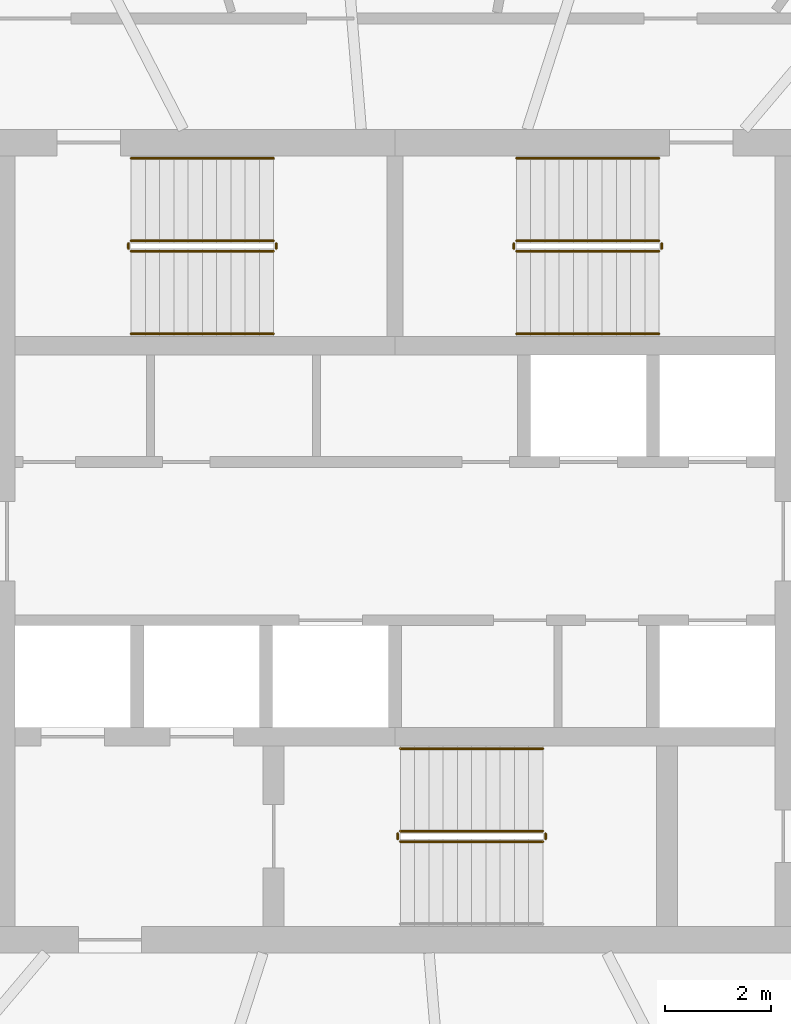
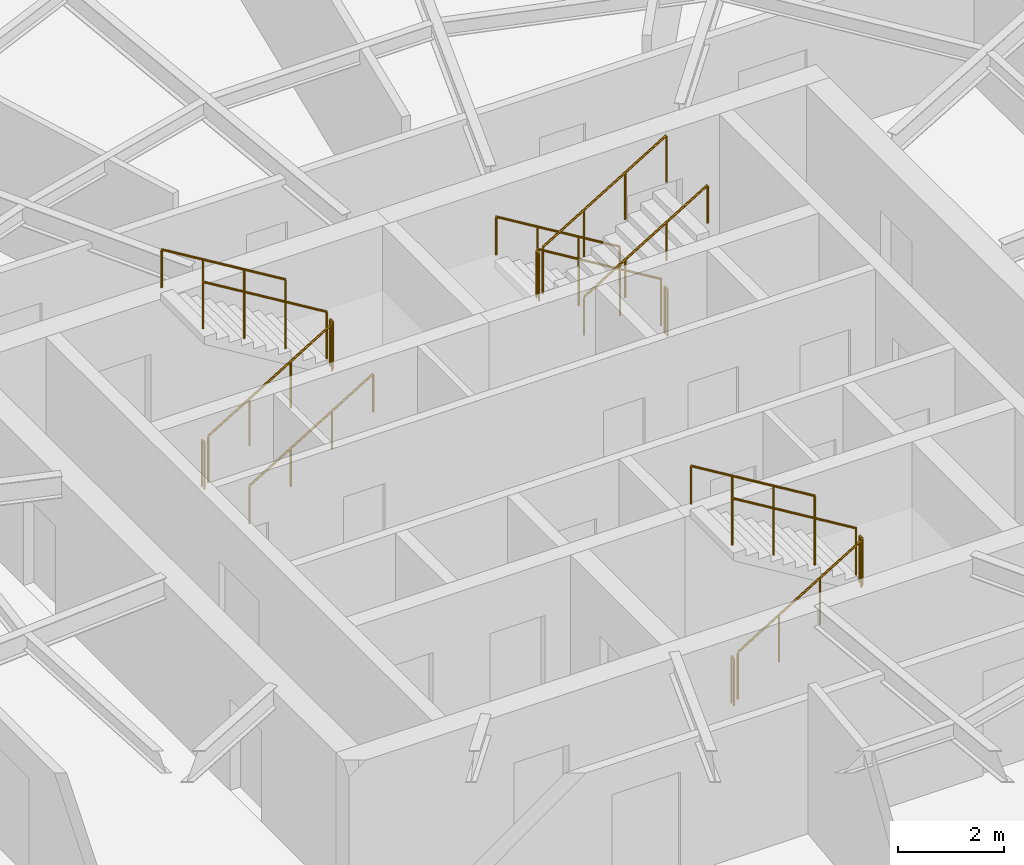
# One storey, part 12 of 13: 17 railings.
"""IFC4 building model written with IfcOpenShell, lengths in metres."""

import ifcopenshell
import ifcopenshell.guid

model = None  # the IFC model being written
_history = None  # IfcOwnerHistory: only IFC2X3 demands one
_inside = {}  # id of a spatial element -> (the spatial element, [elements in it])
_under = {}  # id of a project, library or spatial element -> (it, [spatial elements below it])
_declared = {}  # id of a project -> (the project, [libraries it declares])
_typed = {}  # id of a type object -> (the type object, [elements of that type])
_made_of = {}  # id of a material, layer set ... -> (it, [elements and type objects made of it])


def new_model(schema):
    """Start an empty IFC model of exactly this schema.

    Asked for "IFC4X3", IfcOpenShell would pick the latest addendum, in which some entities
    have other attributes; the version numbers below select the first issue.
    IFC2X3 requires an IfcOwnerHistory on every rooted entity: one is made here for all.
    """
    global model, _history
    if schema == "IFC4X3":
        model = ifcopenshell.file(schema_version=(4, 3, 0, 0))
    else:
        model = ifcopenshell.file(schema=schema)
    _inside.clear()
    _under.clear()
    _declared.clear()
    _typed.clear()
    _made_of.clear()
    _history = None
    if model.schema == "IFC2X3":
        org = make("IfcOrganization", Name="unknown")
        user = make(
            "IfcPersonAndOrganization",
            ThePerson=make("IfcPerson", FamilyName="unknown"),
            TheOrganization=org,
        )
        app = make(
            "IfcApplication",
            ApplicationDeveloper=org,
            Version="unknown",
            ApplicationFullName="unknown",
            ApplicationIdentifier="unknown",
        )
        _history = make(
            "IfcOwnerHistory",
            OwningUser=user,
            OwningApplication=app,
            ChangeAction="ADDED",
            CreationDate=0,
        )
    return model


def make(cls, **values):
    """One entity of the class cls with the attributes given. An attribute that is None is left unset."""
    return model.create_entity(
        cls, **{name: value for name, value in values.items() if value is not None}
    )


def rooted(cls, **values):
    """An entity with a GlobalId (a new one), such as an element, a storey or a relation."""
    return make(cls, GlobalId=ifcopenshell.guid.new(), OwnerHistory=_history, **values)


def si_unit(unit_type, name, prefix=None):
    """IfcSIUnit, for example si_unit("LENGTHUNIT", "METRE", prefix="MILLI")."""
    return make("IfcSIUnit", UnitType=unit_type, Prefix=prefix, Name=name)


def assignment(units):
    """IfcUnitAssignment: the units of a project."""
    return None if units is None else make("IfcUnitAssignment", Units=units)


def point(xyz):
    """IfcCartesianPoint."""
    return None if xyz is None else make("IfcCartesianPoint", Coordinates=xyz)


def direction(xyz):
    """IfcDirection."""
    return None if xyz is None else make("IfcDirection", DirectionRatios=xyz)


def frame(location, z_axis=None, x_axis=None):
    """IfcAxis2Placement3D, a coordinate frame: its origin and axes. An axis left out is left unset."""
    return make(
        "IfcAxis2Placement3D",
        Location=point(location),
        Axis=direction(z_axis),
        RefDirection=direction(x_axis),
    )


def frame_2d(location, x_axis=None):
    """IfcAxis2Placement2D, a coordinate frame in the plane: its origin and x axis."""
    return make(
        "IfcAxis2Placement2D", Location=point(location), RefDirection=direction(x_axis)
    )


def origin():
    """The frame at (0, 0, 0) with its axes left unset."""
    return frame((0.0, 0.0, 0.0))


def origin_2d():
    """The frame at (0, 0) in the plane with its x axis left unset."""
    return frame_2d((0.0, 0.0))


def place(relative_to, where):
    """IfcLocalPlacement: puts the frame where relative to a parent placement (None: the world)."""
    return make(
        "IfcLocalPlacement", PlacementRelTo=relative_to, RelativePlacement=where
    )


def context(
    kind, dimensions, precision=None, world=None, true_north=None, identifier=None
):
    """IfcGeometricRepresentationContext, for example the 3D "Model" context."""
    return make(
        "IfcGeometricRepresentationContext",
        ContextIdentifier=identifier,
        ContextType=kind,
        CoordinateSpaceDimension=dimensions,
        Precision=precision,
        WorldCoordinateSystem=world,
        TrueNorth=true_north,
    )


def subcontext(parent, identifier, kind, view, scale=None):
    """IfcGeometricRepresentationSubContext, for example "Body" below "Model"."""
    return make(
        "IfcGeometricRepresentationSubContext",
        ContextIdentifier=identifier,
        ContextType=kind,
        ParentContext=parent,
        TargetScale=scale,
        TargetView=view,
    )


def project(units=None, contexts=None):
    """IfcProject with its units and contexts."""
    return rooted(
        "IfcProject",
        Name="project",
        RepresentationContexts=contexts,
        UnitsInContext=assignment(units),
    )


def spatial(cls, under=None, at=None, **own):
    """A site, building, storey or space (cls), placed at a placement, below another one or the project."""
    s = rooted(cls, ObjectPlacement=at, **own)
    if under is not None:
        _under.setdefault(under.id(), (under, []))[1].append(s)
    return s


def profile(cls, at=None, kind="AREA", **sizes):
    """A parametric profile (cls). Its sizes go by their IFC names, for example OverallWidth=200.0."""
    return make(cls, ProfileType=kind, Position=at, **sizes)


def circle(**sizes):
    """IfcCircleProfileDef."""
    return profile("IfcCircleProfileDef", **sizes)


def extrude(swept, where, along, depth):
    """IfcExtrudedAreaSolid: the profile swept, set in the frame where, extruded along a direction by depth."""
    return make(
        "IfcExtrudedAreaSolid",
        SweptArea=swept,
        Position=where,
        ExtrudedDirection=direction(along),
        Depth=depth,
    )


def shape(context_of_items, identifier, shape_type, items):
    """IfcShapeRepresentation: the items that make up one representation, for example the "Body"."""
    return make(
        "IfcShapeRepresentation",
        ContextOfItems=context_of_items,
        RepresentationIdentifier=identifier,
        RepresentationType=shape_type,
        Items=items,
    )


def material(Name=None, Category=None):
    """IfcMaterial."""
    return make("IfcMaterial", Name=Name, Category=Category)


def made_of(thing, what):
    """Note that an element or type object is made of a material, layer set ...; save() writes the relation."""
    if what is not None:
        _made_of.setdefault(what.id(), (what, []))[1].append(thing)
    return thing


def type_object(cls, material=None, **own):
    """A type object (cls), such as IfcWallType, which elements share."""
    return made_of(rooted(cls, **own), material)


def element(
    cls,
    number,
    at=None,
    inside=None,
    cuts=None,
    type_object=None,
    material=None,
    context=None,
    identifier="Body",
    shape_type=None,
    held_by="IfcProductDefinitionShape",
    body=None,
    shapes=None,
    **own,
):
    """One element of the class cls, such as IfcWall. Its Tag is "e" and its number.

    at: its placement. inside: the storey or other place that contains it. cuts: it is an
    opening in that element (IfcRelVoidsElement). A single representation is given by context,
    identifier, shape_type and body (its items); several are given by shapes. held_by: the class
    of the entity that holds the representations. save() writes the other relations.
    """
    e = rooted(cls, Tag="e%d" % number, ObjectPlacement=at, **own)
    if body is not None:
        shapes = [shape(context, identifier, shape_type, body)]
    if shapes is not None:
        e.Representation = make(held_by, Representations=shapes)
    if inside is not None:
        _inside.setdefault(inside.id(), (inside, []))[1].append(e)
    if cuts is not None:
        rooted(
            "IfcRelVoidsElement", RelatingBuildingElement=cuts, RelatedOpeningElement=e
        )
    if type_object is not None:
        _typed.setdefault(type_object.id(), (type_object, []))[1].append(e)
    return made_of(e, material)


def aggregate(whole, parts):
    """IfcRelAggregates: a whole, such as a stair, and the parts it consists of."""
    return rooted("IfcRelAggregates", RelatingObject=whole, RelatedObjects=parts)


def save(model, path):
    """Write the relations noted so far, then the file.

    IfcRelAggregates (storeys below a building ...), IfcRelContainedInSpatialStructure (elements
    in a storey), IfcRelDefinesByType, IfcRelAssociatesMaterial and IfcRelDeclares: one each for
    every whole, place, type object, material and project.
    """
    for whole, parts in _under.values():
        aggregate(whole, parts)
    for where, things in _inside.values():
        rooted(
            "IfcRelContainedInSpatialStructure",
            RelatedElements=things,
            RelatingStructure=where,
        )
    for kind, things in _typed.values():
        rooted("IfcRelDefinesByType", RelatedObjects=things, RelatingType=kind)
    for what, things in _made_of.values():
        rooted("IfcRelAssociatesMaterial", RelatedObjects=things, RelatingMaterial=what)
    for by, libraries in _declared.values():
        rooted("IfcRelDeclares", RelatingContext=by, RelatedDefinitions=libraries)
    model.write(path)


model = new_model("IFC4")

# Units and contexts
model_context = context("Model", 3, precision=1e-05, world=origin(), true_north=direction((0.0, 1.0)))
body_context = subcontext(model_context, "Body", "Model", "MODEL_VIEW")
ifc_project = project(units=[si_unit("LENGTHUNIT", "METRE"), si_unit("AREAUNIT", "SQUARE_METRE"), si_unit("VOLUMEUNIT", "CUBIC_METRE"), si_unit("PLANEANGLEUNIT", "RADIAN"), si_unit("MASSUNIT", "GRAM", prefix="KILO")], contexts=[model_context])

# Site, building, storey
site_placement = place(None, origin())
site = spatial("IfcSite", under=ifc_project, at=site_placement, CompositionType="ELEMENT")
building_placement = place(site_placement, origin())
building = spatial("IfcBuilding", under=site, at=building_placement, Name="Vermilion Reach Broadcast Tower", CompositionType="ELEMENT")
storey_placement = place(building_placement, frame((0.0, 0.0, 275.699951171875)))
storey = spatial("IfcBuildingStorey", under=building, at=storey_placement, Name="L68", CompositionType="ELEMENT", Elevation=275.699951171875)

# Railings
ifc_material_1 = material(Name="Stainless steel", Category="steel")
railing_type_1 = type_object("IfcRailingType", Name="Stair guard 1100", PredefinedType="GUARDRAIL", material=ifc_material_1)
railing_1_placement = place(storey_placement, frame((-11.0, 5.489990234375, 0.16357421875)))
element("IfcRailing", 1, at=railing_1_placement, inside=storey, type_object=railing_type_1, Name="L68 ST1 stair guard 1", PredefinedType="GUARDRAIL", context=body_context, shape_type="SweptSolid", body=[
    extrude(circle(Radius=0.02392578125, at=origin_2d()), frame((0.0, 0.0, 1.076171875), z_axis=(0.855178096276, 0.0, 0.518334277904), x_axis=(0.0, 1.0, 0.0)), (0.0, 0.0, 1.0), 3.1572265625),
    extrude(circle(Radius=0.02099609375, at=origin_2d()), origin(), (0.0, 0.0, 1.0), 1.052001953125),
    extrude(circle(Radius=0.02099609375, at=origin_2d()), frame((0.89990234375, 0.0, 0.54541015625)), (0.0, 0.0, 1.0), 1.052001953125),
    extrude(circle(Radius=0.02099609375, at=origin_2d()), frame((1.800048828125, 0.0, 1.091064453125)), (0.0, 0.0, 1.0), 1.052001953125),
    extrude(circle(Radius=0.02099609375, at=origin_2d()), frame((2.699951171875, 0.0, 1.636474609375)), (0.0, 0.0, 1.0), 1.052001953125),
])
railing_2_placement = place(storey_placement, frame((-8.25, 5.5400390625, 1.800048828125)))
element("IfcRailing", 2, at=railing_2_placement, inside=storey, type_object=railing_type_1, Name="L68 ST1 stair guard 2", PredefinedType="GUARDRAIL", context=body_context, shape_type="SweptSolid", body=[
    extrude(circle(Radius=0.02392578125, at=origin_2d()), frame((0.0, 0.0, 1.076171875), z_axis=(0.0, 1.0, 0.0), x_axis=(-1.0, 0.0, 0.0)), (0.0, 0.0, 1.0), 0.099853515625),
    extrude(circle(Radius=0.02099609375, at=origin_2d()), origin(), (0.0, 0.0, 1.0), 1.052001953125),
    extrude(circle(Radius=0.02099609375, at=origin_2d()), frame((0.0, 0.099853515625, 0.0)), (0.0, 0.0, 1.0), 1.052001953125),
])
railing_3_placement = place(storey_placement, frame((-8.300048828125, 5.68994140625, 1.963623046875)))
element("IfcRailing", 3, at=railing_3_placement, inside=storey, type_object=railing_type_1, Name="L68 ST1 stair guard 3", PredefinedType="GUARDRAIL", context=body_context, shape_type="SweptSolid", body=[
    extrude(circle(Radius=0.02392578125, at=origin_2d()), frame((0.0, 0.0, 1.076171875), z_axis=(-0.855178096276, 0.0, 0.518334277904), x_axis=(0.0, -1.0, 0.0)), (0.0, 0.0, 1.0), 3.1572265625),
    extrude(circle(Radius=0.02099609375, at=origin_2d()), origin(), (0.0, 0.0, 1.0), 1.052001953125),
    extrude(circle(Radius=0.02099609375, at=origin_2d()), frame((-0.89990234375, 0.0, 0.54541015625)), (0.0, 0.0, 1.0), 1.052001953125),
    extrude(circle(Radius=0.02099609375, at=origin_2d()), frame((-1.800048828125, 0.0, 1.091064453125)), (0.0, 0.0, 1.0), 1.052001953125),
    extrude(circle(Radius=0.02099609375, at=origin_2d()), frame((-2.699951171875, 0.0, 1.636474609375)), (0.0, 0.0, 1.0), 1.052001953125),
])
railing_4_placement = place(storey_placement, frame((-11.050048828125, 5.5400390625, 0.0)))
element("IfcRailing", 4, at=railing_4_placement, inside=storey, type_object=railing_type_1, Name="L68 ST1 stair guard 4", PredefinedType="GUARDRAIL", context=body_context, shape_type="SweptSolid", body=[
    extrude(circle(Radius=0.02392578125, at=origin_2d()), frame((0.0, 0.0, 1.076171875), z_axis=(0.0, 1.0, 0.0), x_axis=(-1.0, 0.0, 0.0)), (0.0, 0.0, 1.0), 0.099853515625),
    extrude(circle(Radius=0.02099609375, at=origin_2d()), origin(), (0.0, 0.0, 1.0), 1.052001953125),
    extrude(circle(Radius=0.02099609375, at=origin_2d()), frame((0.0, 0.099853515625, 0.0)), (0.0, 0.0, 1.0), 1.052001953125),
])
railing_5_placement = place(storey_placement, frame((-1.0, 5.68994140625, 0.16357421875)))
element("IfcRailing", 5, at=railing_5_placement, inside=storey, type_object=railing_type_1, Name="L68 ST2 stair guard 1", PredefinedType="GUARDRAIL", context=body_context, shape_type="SweptSolid", body=[
    extrude(circle(Radius=0.02392578125, at=origin_2d()), frame((0.0, 0.0, 1.076171875), z_axis=(-0.855178096276, 0.0, 0.518334277904), x_axis=(0.0, -1.0, 0.0)), (0.0, 0.0, 1.0), 3.1572265625),
    extrude(circle(Radius=0.02099609375, at=origin_2d()), origin(), (0.0, 0.0, 1.0), 1.052001953125),
    extrude(circle(Radius=0.02099609375, at=origin_2d()), frame((-0.89990234375, 0.0, 0.54541015625)), (0.0, 0.0, 1.0), 1.052001953125),
    extrude(circle(Radius=0.02099609375, at=origin_2d()), frame((-1.800048828125, 0.0, 1.091064453125)), (0.0, 0.0, 1.0), 1.052001953125),
    extrude(circle(Radius=0.02099609375, at=origin_2d()), frame((-2.699951171875, 0.0, 1.636474609375)), (0.0, 0.0, 1.0), 1.052001953125),
])
railing_6_placement = place(storey_placement, frame((-3.75, 5.639892578125, 1.800048828125)))
element("IfcRailing", 6, at=railing_6_placement, inside=storey, type_object=railing_type_1, Name="L68 ST2 stair guard 2", PredefinedType="GUARDRAIL", context=body_context, shape_type="SweptSolid", body=[
    extrude(circle(Radius=0.02392578125, at=origin_2d()), frame((0.0, 0.0, 1.076171875), z_axis=(0.0, -1.0, 0.0), x_axis=(1.0, 0.0, 0.0)), (0.0, 0.0, 1.0), 0.099853515625),
    extrude(circle(Radius=0.02099609375, at=origin_2d()), origin(), (0.0, 0.0, 1.0), 1.052001953125),
    extrude(circle(Radius=0.02099609375, at=origin_2d()), frame((0.0, -0.099853515625, 0.0)), (0.0, 0.0, 1.0), 1.052001953125),
])
railing_7_placement = place(storey_placement, frame((-3.699951171875, 5.489990234375, 1.963623046875)))
element("IfcRailing", 7, at=railing_7_placement, inside=storey, type_object=railing_type_1, Name="L68 ST2 stair guard 3", PredefinedType="GUARDRAIL", context=body_context, shape_type="SweptSolid", body=[
    extrude(circle(Radius=0.02392578125, at=origin_2d()), frame((0.0, 0.0, 1.076171875), z_axis=(0.855178096276, 0.0, 0.518334277904), x_axis=(0.0, 1.0, 0.0)), (0.0, 0.0, 1.0), 3.1572265625),
    extrude(circle(Radius=0.02099609375, at=origin_2d()), origin(), (0.0, 0.0, 1.0), 1.052001953125),
    extrude(circle(Radius=0.02099609375, at=origin_2d()), frame((0.89990234375, 0.0, 0.54541015625)), (0.0, 0.0, 1.0), 1.052001953125),
    extrude(circle(Radius=0.02099609375, at=origin_2d()), frame((1.800048828125, 0.0, 1.091064453125)), (0.0, 0.0, 1.0), 1.052001953125),
    extrude(circle(Radius=0.02099609375, at=origin_2d()), frame((2.699951171875, 0.0, 1.636474609375)), (0.0, 0.0, 1.0), 1.052001953125),
])
railing_8_placement = place(storey_placement, frame((-0.949951171875, 5.639892578125, 0.0)))
element("IfcRailing", 8, at=railing_8_placement, inside=storey, type_object=railing_type_1, Name="L68 ST2 stair guard 4", PredefinedType="GUARDRAIL", context=body_context, shape_type="SweptSolid", body=[
    extrude(circle(Radius=0.02392578125, at=origin_2d()), frame((0.0, 0.0, 1.076171875), z_axis=(0.0, -1.0, 0.0), x_axis=(1.0, 0.0, 0.0)), (0.0, 0.0, 1.0), 0.099853515625),
    extrude(circle(Radius=0.02099609375, at=origin_2d()), origin(), (0.0, 0.0, 1.0), 1.052001953125),
    extrude(circle(Radius=0.02099609375, at=origin_2d()), frame((0.0, -0.099853515625, 0.0)), (0.0, 0.0, 1.0), 1.052001953125),
])
railing_9_placement = place(storey_placement, frame((-5.89990234375, -5.68994140625, 0.16357421875)))
element("IfcRailing", 9, at=railing_9_placement, inside=storey, type_object=railing_type_1, Name="L68 ST3 stair guard 1", PredefinedType="GUARDRAIL", context=body_context, shape_type="SweptSolid", body=[
    extrude(circle(Radius=0.02392578125, at=origin_2d()), frame((0.0, 0.0, 1.076171875), z_axis=(0.855178096276, 0.0, 0.518334277904), x_axis=(0.0, 1.0, 0.0)), (0.0, 0.0, 1.0), 3.1572265625),
    extrude(circle(Radius=0.02099609375, at=origin_2d()), origin(), (0.0, 0.0, 1.0), 1.052001953125),
    extrude(circle(Radius=0.02099609375, at=origin_2d()), frame((0.89990234375, 0.0, 0.54541015625)), (0.0, 0.0, 1.0), 1.052001953125),
    extrude(circle(Radius=0.02099609375, at=origin_2d()), frame((1.800048828125, 0.0, 1.091064453125)), (0.0, 0.0, 1.0), 1.052001953125),
    extrude(circle(Radius=0.02099609375, at=origin_2d()), frame((2.699951171875, 0.0, 1.636474609375)), (0.0, 0.0, 1.0), 1.052001953125),
])
railing_10_placement = place(storey_placement, frame((-3.14990234375, -5.639892578125, 1.800048828125)))
element("IfcRailing", 10, at=railing_10_placement, inside=storey, type_object=railing_type_1, Name="L68 ST3 stair guard 2", PredefinedType="GUARDRAIL", context=body_context, shape_type="SweptSolid", body=[
    extrude(circle(Radius=0.02392578125, at=origin_2d()), frame((0.0, 0.0, 1.076171875), z_axis=(0.0, 1.0, 0.0), x_axis=(-1.0, 0.0, 0.0)), (0.0, 0.0, 1.0), 0.099853515625),
    extrude(circle(Radius=0.02099609375, at=origin_2d()), origin(), (0.0, 0.0, 1.0), 1.052001953125),
    extrude(circle(Radius=0.02099609375, at=origin_2d()), frame((0.0, 0.099853515625, 0.0)), (0.0, 0.0, 1.0), 1.052001953125),
])
railing_11_placement = place(storey_placement, frame((-3.199951171875, -5.489990234375, 1.963623046875)))
element("IfcRailing", 11, at=railing_11_placement, inside=storey, type_object=railing_type_1, Name="L68 ST3 stair guard 3", PredefinedType="GUARDRAIL", context=body_context, shape_type="SweptSolid", body=[
    extrude(circle(Radius=0.02392578125, at=origin_2d()), frame((0.0, 0.0, 1.076171875), z_axis=(-0.855178096276, 0.0, 0.518334277904), x_axis=(0.0, -1.0, 0.0)), (0.0, 0.0, 1.0), 3.1572265625),
    extrude(circle(Radius=0.02099609375, at=origin_2d()), origin(), (0.0, 0.0, 1.0), 1.052001953125),
    extrude(circle(Radius=0.02099609375, at=origin_2d()), frame((-0.89990234375, 0.0, 0.54541015625)), (0.0, 0.0, 1.0), 1.052001953125),
    extrude(circle(Radius=0.02099609375, at=origin_2d()), frame((-1.800048828125, 0.0, 1.091064453125)), (0.0, 0.0, 1.0), 1.052001953125),
    extrude(circle(Radius=0.02099609375, at=origin_2d()), frame((-2.699951171875, 0.0, 1.636474609375)), (0.0, 0.0, 1.0), 1.052001953125),
])
railing_12_placement = place(storey_placement, frame((-5.949951171875, -5.639892578125, 0.0)))
element("IfcRailing", 12, at=railing_12_placement, inside=storey, type_object=railing_type_1, Name="L68 ST3 stair guard 4", PredefinedType="GUARDRAIL", context=body_context, shape_type="SweptSolid", body=[
    extrude(circle(Radius=0.02392578125, at=origin_2d()), frame((0.0, 0.0, 1.076171875), z_axis=(0.0, 1.0, 0.0), x_axis=(-1.0, 0.0, 0.0)), (0.0, 0.0, 1.0), 0.099853515625),
    extrude(circle(Radius=0.02099609375, at=origin_2d()), origin(), (0.0, 0.0, 1.0), 1.052001953125),
    extrude(circle(Radius=0.02099609375, at=origin_2d()), frame((0.0, 0.099853515625, 0.0)), (0.0, 0.0, 1.0), 1.052001953125),
])
ifc_material_2 = material(Name="Stainless steel", Category="steel")
railing_type_2 = type_object("IfcRailingType", Name="Stair handrail", PredefinedType="HANDRAIL", material=ifc_material_2)
railing_13_placement = place(storey_placement, frame((-11.0, 3.929931640625, 0.16357421875)))
element("IfcRailing", 13, at=railing_13_placement, inside=storey, type_object=railing_type_2, Name="L68 ST1 stair handrail 1", PredefinedType="HANDRAIL", context=body_context, shape_type="SweptSolid", body=[
    extrude(circle(Radius=0.02392578125, at=origin_2d()), frame((0.0, 0.0, 0.8759765625), z_axis=(0.855178096276, 0.0, 0.518334277904), x_axis=(0.0, 1.0, 0.0)), (0.0, 0.0, 1.0), 3.1572265625),
    extrude(circle(Radius=0.02099609375, at=origin_2d()), origin(), (0.0, 0.0, 1.0), 0.851806640625),
    extrude(circle(Radius=0.02099609375, at=origin_2d()), frame((0.89990234375, 0.0, 0.54541015625)), (0.0, 0.0, 1.0), 0.851806640625),
    extrude(circle(Radius=0.02099609375, at=origin_2d()), frame((1.800048828125, 0.0, 1.091064453125)), (0.0, 0.0, 1.0), 0.851806640625),
    extrude(circle(Radius=0.02099609375, at=origin_2d()), frame((2.699951171875, 0.0, 1.636474609375)), (0.0, 0.0, 1.0), 0.851806640625),
])
for number, where, name in (
    (14, (-8.300048828125, 7.25, 1.963623046875), "L68 ST1 stair handrail 2"),
    (15, (-1.0, 7.25, 0.16357421875), "L68 ST2 stair handrail 1"),
):
    element("IfcRailing", number, at=place(storey_placement, frame(where)), inside=storey, type_object=railing_type_2, Name=name, PredefinedType="HANDRAIL", context=body_context, shape_type="SweptSolid", body=[
        extrude(circle(Radius=0.02392578125, at=origin_2d()), frame((0.0, 0.0, 0.8759765625), z_axis=(-0.855178096276, 0.0, 0.518334277904), x_axis=(0.0, -1.0, 0.0)), (0.0, 0.0, 1.0), 3.1572265625),
        extrude(circle(Radius=0.02099609375, at=origin_2d()), origin(), (0.0, 0.0, 1.0), 0.851806640625),
        extrude(circle(Radius=0.02099609375, at=origin_2d()), frame((-0.89990234375, 0.0, 0.54541015625)), (0.0, 0.0, 1.0), 0.851806640625),
        extrude(circle(Radius=0.02099609375, at=origin_2d()), frame((-1.800048828125, 0.0, 1.091064453125)), (0.0, 0.0, 1.0), 0.851806640625),
        extrude(circle(Radius=0.02099609375, at=origin_2d()), frame((-2.699951171875, 0.0, 1.636474609375)), (0.0, 0.0, 1.0), 0.851806640625),
    ])
railing_14_placement = place(storey_placement, frame((-3.699951171875, 3.929931640625, 1.963623046875)))
element("IfcRailing", 16, at=railing_14_placement, inside=storey, type_object=railing_type_2, Name="L68 ST2 stair handrail 2", PredefinedType="HANDRAIL", context=body_context, shape_type="SweptSolid", body=[
    extrude(circle(Radius=0.02392578125, at=origin_2d()), frame((0.0, 0.0, 0.8759765625), z_axis=(0.855178096276, 0.0, 0.518334277904), x_axis=(0.0, 1.0, 0.0)), (0.0, 0.0, 1.0), 3.1572265625),
    extrude(circle(Radius=0.02099609375, at=origin_2d()), origin(), (0.0, 0.0, 1.0), 0.851806640625),
    extrude(circle(Radius=0.02099609375, at=origin_2d()), frame((0.89990234375, 0.0, 0.54541015625)), (0.0, 0.0, 1.0), 0.851806640625),
    extrude(circle(Radius=0.02099609375, at=origin_2d()), frame((1.800048828125, 0.0, 1.091064453125)), (0.0, 0.0, 1.0), 0.851806640625),
    extrude(circle(Radius=0.02099609375, at=origin_2d()), frame((2.699951171875, 0.0, 1.636474609375)), (0.0, 0.0, 1.0), 0.851806640625),
])
railing_15_placement = place(storey_placement, frame((-3.199951171875, -3.929931640625, 1.963623046875)))
element("IfcRailing", 17, at=railing_15_placement, inside=storey, type_object=railing_type_2, Name="L68 ST3 stair handrail 2", PredefinedType="HANDRAIL", context=body_context, shape_type="SweptSolid", body=[
    extrude(circle(Radius=0.02392578125, at=origin_2d()), frame((0.0, 0.0, 0.8759765625), z_axis=(-0.855178096276, 0.0, 0.518334277904), x_axis=(0.0, -1.0, 0.0)), (0.0, 0.0, 1.0), 3.1572265625),
    extrude(circle(Radius=0.02099609375, at=origin_2d()), origin(), (0.0, 0.0, 1.0), 0.851806640625),
    extrude(circle(Radius=0.02099609375, at=origin_2d()), frame((-0.89990234375, 0.0, 0.54541015625)), (0.0, 0.0, 1.0), 0.851806640625),
    extrude(circle(Radius=0.02099609375, at=origin_2d()), frame((-1.800048828125, 0.0, 1.091064453125)), (0.0, 0.0, 1.0), 0.851806640625),
    extrude(circle(Radius=0.02099609375, at=origin_2d()), frame((-2.699951171875, 0.0, 1.636474609375)), (0.0, 0.0, 1.0), 0.851806640625),
])

save(model, "model.ifc")
